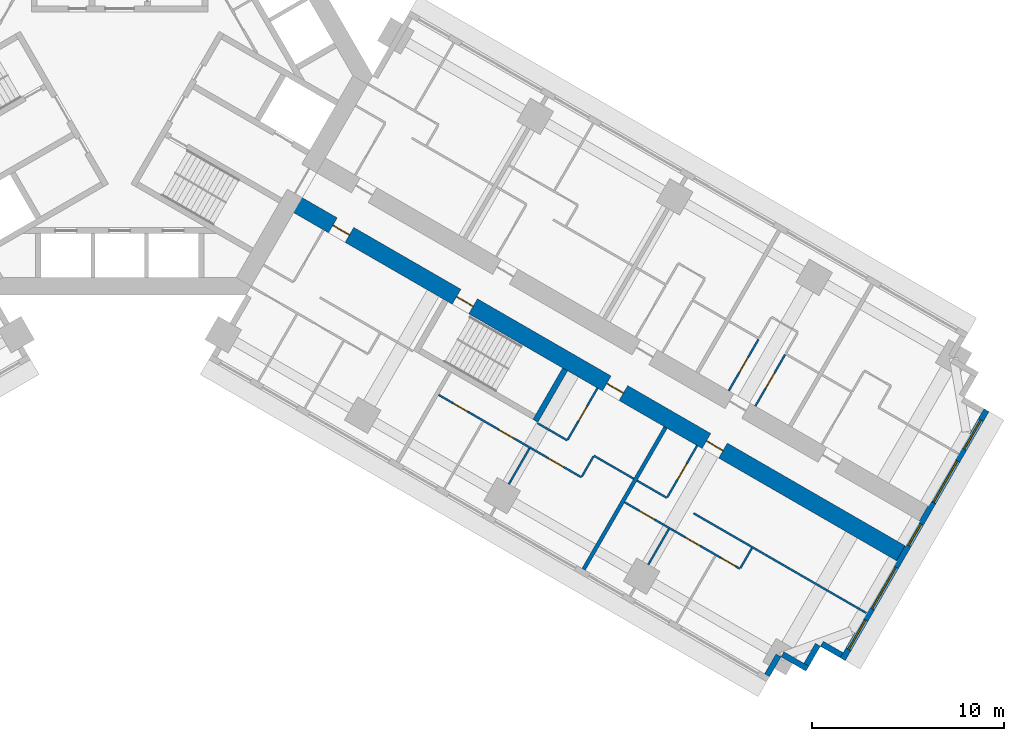
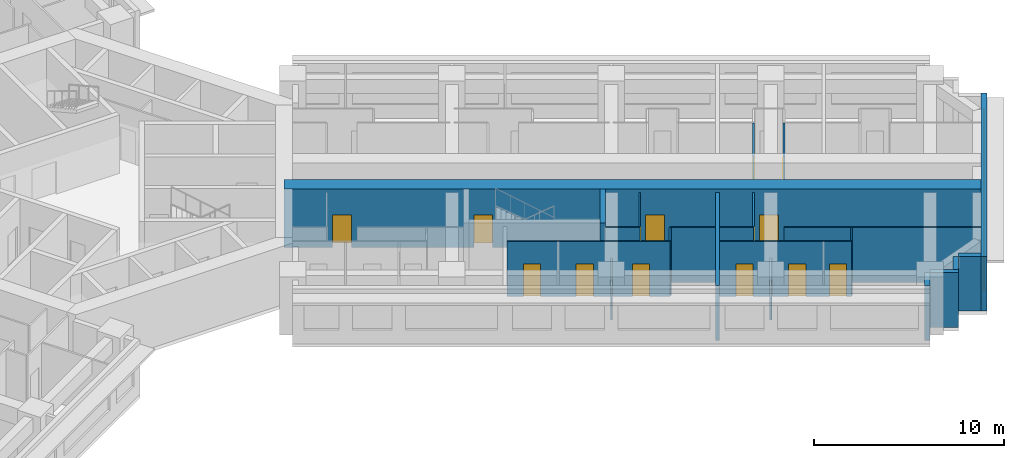
# One storey, part 11 of 16: 22 walls, 14 doors, 5 windows, 19 openings.
"""IFC4 building model written with IfcOpenShell, lengths in metres."""

from ifc_helpers import new_model, si_unit, direction, frame, frame_2d, origin, place, context, subcontext, project, spatial, rectangle, extrude, material, layer, layer_set, type_object, element, fill, save


model = new_model("IFC4")

# Units and contexts
model_context = context("Model", 3, precision=1e-05, world=origin(), true_north=direction((0.0, 1.0)))
body_context = subcontext(model_context, "Body", "Model", "MODEL_VIEW")
ifc_project = project(units=[si_unit("LENGTHUNIT", "METRE"), si_unit("AREAUNIT", "SQUARE_METRE"), si_unit("VOLUMEUNIT", "CUBIC_METRE"), si_unit("PLANEANGLEUNIT", "RADIAN"), si_unit("MASSUNIT", "GRAM", prefix="KILO")], contexts=[model_context])

# Site, building, storey
site_placement = place(None, origin())
site = spatial("IfcSite", under=ifc_project, at=site_placement, CompositionType="ELEMENT")
building_placement = place(site_placement, origin())
building = spatial("IfcBuilding", under=site, at=building_placement, Name="Impinga Residences", CompositionType="ELEMENT")
storey_placement = place(building_placement, frame((0.0, 0.0, 74.75)))
storey = spatial("IfcBuildingStorey", under=building, at=storey_placement, Name="L18", CompositionType="ELEMENT", Elevation=74.75)

# Wall, openings, doors
ifc_material_1 = material(Name="Concrete C70/85", Category="concrete")
ifc_layer_1 = layer(ifc_material_1, 0.89990234375)
ifc_layer_set_1 = layer_set([ifc_layer_1], Name="Concrete C70/85")
wall_type_1 = type_object("IfcWallType", Name="BW1 corridor buttress wall, L05 to L22 900", PredefinedType="SHEAR", material=ifc_layer_set_1)
wall_1_placement = place(storey_placement, frame((8.910400390625, -6.530029296875, 0.0), z_axis=(0.0, 0.0, 1.0), x_axis=(0.866025284237, -0.500000207062, 0.0)))
wall_1 = element("IfcWall", 1, at=wall_1_placement, inside=storey, type_object=wall_type_1, Name="Corridor wall BW1 ED L18", PredefinedType="SHEAR", context=body_context, shape_type="SweptSolid", body=[
    extrude(rectangle(XDim=36.75, YDim=0.89990234375, at=frame_2d((18.375, 0.0))), origin(), (0.0, 0.0, 1.0), 3.75),
])
opening_1_placement = place(wall_1_placement, frame((10.0, 0.0, 0.0)))
opening_1 = element("IfcOpeningElement", 2, at=opening_1_placement, cuts=wall_1, Name="Opening D5", PredefinedType="OPENING", context=body_context, shape_type="SweptSolid", body=[
    extrude(rectangle(XDim=1.0, YDim=2.10009765625, at=frame_2d((0.5, 1.050048828125))), frame((0.0, 0.4599609375, 0.0), z_axis=(0.0, -1.0, 0.0), x_axis=(1.0, 0.0, 0.0)), (0.0, 0.0, 1.0), 0.919921875),
])
opening_2_placement = place(wall_1_placement, frame((2.550048828125, 0.0, 0.0)))
opening_2 = element("IfcOpeningElement", 3, at=opening_2_placement, cuts=wall_1, Name="Opening D1", PredefinedType="OPENING", context=body_context, shape_type="SweptSolid", body=[
    extrude(rectangle(XDim=1.0, YDim=2.10009765625, at=frame_2d((0.5, 1.050048828125))), frame((0.0, 0.4599609375, 0.0), z_axis=(0.0, -1.0, 0.0), x_axis=(1.0, 0.0, 0.0)), (0.0, 0.0, 1.0), 0.919921875),
])
opening_3_placement = place(wall_1_placement, frame((19.050048828125, 0.0, 0.0)))
opening_3 = element("IfcOpeningElement", 4, at=opening_3_placement, cuts=wall_1, Name="Opening D1", PredefinedType="OPENING", context=body_context, shape_type="SweptSolid", body=[
    extrude(rectangle(XDim=1.0, YDim=2.10009765625, at=frame_2d((0.5, 1.050048828125))), frame((0.0, 0.4599609375, 0.0), z_axis=(0.0, -1.0, 0.0), x_axis=(1.0, 0.0, 0.0)), (0.0, 0.0, 1.0), 0.919921875),
])
opening_4_placement = place(wall_1_placement, frame((25.050048828125, 0.0, 0.0)))
opening_4 = element("IfcOpeningElement", 5, at=opening_4_placement, cuts=wall_1, Name="Opening D1", PredefinedType="OPENING", context=body_context, shape_type="SweptSolid", body=[
    extrude(rectangle(XDim=1.0, YDim=2.10009765625, at=frame_2d((0.5, 1.050048828125))), frame((0.0, 0.4599609375, 0.0), z_axis=(0.0, -1.0, 0.0), x_axis=(1.0, 0.0, 0.0)), (0.0, 0.0, 1.0), 0.919921875),
])
ifc_material_2 = material(Name="Timber door set", Category="wood")
door_type_1 = type_object("IfcDoorType", Name="D1 apartment entrance door 1000x2100", OperationType="SINGLE_SWING_LEFT", PredefinedType="DOOR", material=ifc_material_2)
door_1_placement = place(opening_2_placement, origin())
door_1 = element("IfcDoor", 6, at=door_1_placement, inside=storey, type_object=door_type_1, Name="Apartment L18-EF1 entrance", OperationType="SINGLE_SWING_LEFT", OverallHeight=2.10009765625, OverallWidth=1.0, PredefinedType="DOOR", context=body_context, shape_type="SweptSolid", body=[
    extrude(rectangle(XDim=1.0, YDim=2.10009765625, at=frame_2d((0.5, 1.050048828125))), frame((0.0, 0.02490234375, 0.0), z_axis=(0.0, -1.0, 0.0), x_axis=(1.0, 0.0, 0.0)), (0.0, 0.0, 1.0), 0.050048828125),
])
fill(opening_2, door_1)
door_2_placement = place(opening_3_placement, origin())
door_2 = element("IfcDoor", 7, at=door_2_placement, inside=storey, type_object=door_type_1, Name="Apartment L18-EF2 entrance", OperationType="SINGLE_SWING_RIGHT", OverallHeight=2.10009765625, OverallWidth=1.0, PredefinedType="DOOR", context=body_context, shape_type="SweptSolid", body=[
    extrude(rectangle(XDim=1.0, YDim=2.10009765625, at=frame_2d((0.5, 1.050048828125))), frame((0.0, 0.02490234375, 0.0), z_axis=(0.0, -1.0, 0.0), x_axis=(1.0, 0.0, 0.0)), (0.0, 0.0, 1.0), 0.050048828125),
])
fill(opening_3, door_2)
door_3_placement = place(opening_4_placement, origin())
door_3 = element("IfcDoor", 8, at=door_3_placement, inside=storey, type_object=door_type_1, Name="Apartment L18-EF3 entrance", OperationType="SINGLE_SWING_RIGHT", OverallHeight=2.10009765625, OverallWidth=1.0, PredefinedType="DOOR", context=body_context, shape_type="SweptSolid", body=[
    extrude(rectangle(XDim=1.0, YDim=2.10009765625, at=frame_2d((0.5, 1.050048828125))), frame((0.0, 0.02490234375, 0.0), z_axis=(0.0, -1.0, 0.0), x_axis=(1.0, 0.0, 0.0)), (0.0, 0.0, 1.0), 0.050048828125),
])
fill(opening_4, door_3)
door_type_2 = type_object("IfcDoorType", Name="D5 stair door 1000x2100", OperationType="SINGLE_SWING_LEFT", PredefinedType="DOOR", material=ifc_material_2)
door_4_placement = place(opening_1_placement, origin())
door_4 = element("IfcDoor", 9, at=door_4_placement, inside=storey, type_object=door_type_2, Name="Wing stair door E", OperationType="SINGLE_SWING_LEFT", OverallHeight=2.10009765625, OverallWidth=1.0, PredefinedType="DOOR", context=body_context, shape_type="SweptSolid", body=[
    extrude(rectangle(XDim=1.0, YDim=2.10009765625, at=frame_2d((0.5, 1.050048828125))), frame((0.0, 0.02490234375, 0.0), z_axis=(0.0, -1.0, 0.0), x_axis=(1.0, 0.0, 0.0)), (0.0, 0.0, 1.0), 0.050048828125),
])
fill(opening_1, door_4)

# Wall, openings, windows
ifc_material_3 = material(Name="Terracotta rainscreen on blockwork", Category="masonry")
ifc_layer_2 = layer(ifc_material_3, 0.300048828125)
ifc_layer_set_2 = layer_set([ifc_layer_2], Name="EW1 external wall, terracotta rainscreen on blockwork 300")
wall_type_2 = type_object("IfcWallType", Name="EW1 external wall, terracotta rainscreen on blockwork 300", PredefinedType="SOLIDWALL", material=ifc_layer_set_2)
wall_2_placement = place(storey_placement, frame((45.216552734375, -17.445556640625, 0.0), z_axis=(0.0, 0.0, 1.0), x_axis=(-0.499997186618, -0.866027028085, 0.0)))
wall_2 = element("IfcWall", 10, at=wall_2_placement, inside=storey, type_object=wall_type_2, Name="External wall EW1 L18", PredefinedType="SOLIDWALL", context=body_context, shape_type="SweptSolid", body=[
    extrude(rectangle(XDim=15.0, YDim=0.300048828125, at=frame_2d((7.5, 0.0))), origin(), (0.0, 0.0, 1.0), 3.530029296875),
])
opening_5_placement = place(wall_2_placement, frame((0.60009765625, 0.0, 0.89990234375)))
opening_5 = element("IfcOpeningElement", 11, at=opening_5_placement, cuts=wall_2, Name="Opening W1", PredefinedType="OPENING", context=body_context, shape_type="SweptSolid", body=[
    extrude(rectangle(XDim=1.75, YDim=2.050048828125, at=frame_2d((0.875, 1.02490234375))), frame((0.0, 0.159912109375, 0.0), z_axis=(0.0, -1.0, 0.0), x_axis=(1.0, 0.0, 0.0)), (0.0, 0.0, 1.0), 0.320068359375),
])
opening_6_placement = place(wall_2_placement, frame((3.050048828125, 0.0, 0.89990234375)))
opening_6 = element("IfcOpeningElement", 12, at=opening_6_placement, cuts=wall_2, Name="Opening W2", PredefinedType="OPENING", context=body_context, shape_type="SweptSolid", body=[
    extrude(rectangle(XDim=2.5, YDim=2.050048828125, at=frame_2d((1.25, 1.02490234375))), frame((0.0, 0.159912109375, 0.0), z_axis=(0.0, -1.0, 0.0), x_axis=(1.0, 0.0, 0.0)), (0.0, 0.0, 1.0), 0.320068359375),
])
opening_7_placement = place(wall_2_placement, frame((6.85009765625, 0.0, 0.89990234375)))
opening_7 = element("IfcOpeningElement", 13, at=opening_7_placement, cuts=wall_2, Name="Opening WE1", PredefinedType="OPENING", context=body_context, shape_type="SweptSolid", body=[
    extrude(rectangle(XDim=1.300048828125, YDim=2.050048828125, at=frame_2d((0.64990234375, 1.02490234375))), frame((0.0, 0.159912109375, 0.0), z_axis=(0.0, -1.0, 0.0), x_axis=(1.0, 0.0, 0.0)), (0.0, 0.0, 1.0), 0.320068359375),
])
opening_8_placement = place(wall_2_placement, frame((9.449951171875, 0.0, 0.89990234375)))
opening_8 = element("IfcOpeningElement", 14, at=opening_8_placement, cuts=wall_2, Name="Opening W2", PredefinedType="OPENING", context=body_context, shape_type="SweptSolid", body=[
    extrude(rectangle(XDim=2.5, YDim=2.050048828125, at=frame_2d((1.25, 1.02490234375))), frame((0.0, 0.159912109375, 0.0), z_axis=(0.0, -1.0, 0.0), x_axis=(1.0, 0.0, 0.0)), (0.0, 0.0, 1.0), 0.320068359375),
])
opening_9_placement = place(wall_2_placement, frame((12.64990234375, 0.0, 0.89990234375)))
opening_9 = element("IfcOpeningElement", 15, at=opening_9_placement, cuts=wall_2, Name="Opening W1", PredefinedType="OPENING", context=body_context, shape_type="SweptSolid", body=[
    extrude(rectangle(XDim=1.75, YDim=2.050048828125, at=frame_2d((0.875, 1.02490234375))), frame((0.0, 0.159912109375, 0.0), z_axis=(0.0, -1.0, 0.0), x_axis=(1.0, 0.0, 0.0)), (0.0, 0.0, 1.0), 0.320068359375),
])
ifc_material_4 = material(Name="Aluminium window, clear double glazing", Category="aluminium")
window_type_1 = type_object("IfcWindowType", Name="W1 ribbon window 1750x2050", PartitioningType="SINGLE_PANEL", PredefinedType="WINDOW", material=ifc_material_4)
window_1_placement = place(opening_5_placement, origin())
window_1 = element("IfcWindow", 16, at=window_1_placement, inside=storey, type_object=window_type_1, Name="Window L18", OverallHeight=2.050048828125, OverallWidth=1.75, PartitioningType="SINGLE_PANEL", PredefinedType="WINDOW", context=body_context, shape_type="SweptSolid", body=[
    extrude(rectangle(XDim=1.75, YDim=2.050048828125, at=frame_2d((0.875, 1.02490234375))), frame((0.0, 0.030029296875, 0.0), z_axis=(0.0, -1.0, 0.0), x_axis=(1.0, 0.0, 0.0)), (0.0, 0.0, 1.0), 0.06005859375),
])
fill(opening_5, window_1)
window_2_placement = place(opening_9_placement, origin())
window_2 = element("IfcWindow", 17, at=window_2_placement, inside=storey, type_object=window_type_1, Name="Window L18", OverallHeight=2.050048828125, OverallWidth=1.75, PartitioningType="SINGLE_PANEL", PredefinedType="WINDOW", context=body_context, shape_type="SweptSolid", body=[
    extrude(rectangle(XDim=1.75, YDim=2.050048828125, at=frame_2d((0.875, 1.02490234375))), frame((0.0, 0.030029296875, 0.0), z_axis=(0.0, -1.0, 0.0), x_axis=(1.0, 0.0, 0.0)), (0.0, 0.0, 1.0), 0.06005859375),
])
fill(opening_9, window_2)
window_type_2 = type_object("IfcWindowType", Name="W2 ribbon window 2500x2050", PartitioningType="SINGLE_PANEL", PredefinedType="WINDOW", material=ifc_material_4)
window_3_placement = place(opening_6_placement, origin())
window_3 = element("IfcWindow", 18, at=window_3_placement, inside=storey, type_object=window_type_2, Name="Window L18", OverallHeight=2.050048828125, OverallWidth=2.5, PartitioningType="SINGLE_PANEL", PredefinedType="WINDOW", context=body_context, shape_type="SweptSolid", body=[
    extrude(rectangle(XDim=2.5, YDim=2.050048828125, at=frame_2d((1.25, 1.02490234375))), frame((0.0, 0.030029296875, 0.0), z_axis=(0.0, -1.0, 0.0), x_axis=(1.0, 0.0, 0.0)), (0.0, 0.0, 1.0), 0.06005859375),
])
fill(opening_6, window_3)
window_4_placement = place(opening_8_placement, origin())
window_4 = element("IfcWindow", 19, at=window_4_placement, inside=storey, type_object=window_type_2, Name="Window L18", OverallHeight=2.050048828125, OverallWidth=2.5, PartitioningType="SINGLE_PANEL", PredefinedType="WINDOW", context=body_context, shape_type="SweptSolid", body=[
    extrude(rectangle(XDim=2.5, YDim=2.050048828125, at=frame_2d((1.25, 1.02490234375))), frame((0.0, 0.030029296875, 0.0), z_axis=(0.0, -1.0, 0.0), x_axis=(1.0, 0.0, 0.0)), (0.0, 0.0, 1.0), 0.06005859375),
])
fill(opening_8, window_4)
window_type_3 = type_object("IfcWindowType", Name="WE1 corridor window 1300x2050", PartitioningType="SINGLE_PANEL", PredefinedType="WINDOW", material=ifc_material_4)
window_5_placement = place(opening_7_placement, origin())
window_5 = element("IfcWindow", 20, at=window_5_placement, inside=storey, type_object=window_type_3, Name="Window L18", OverallHeight=2.050048828125, OverallWidth=1.300048828125, PartitioningType="SINGLE_PANEL", PredefinedType="WINDOW", context=body_context, shape_type="SweptSolid", body=[
    extrude(rectangle(XDim=1.300048828125, YDim=2.050048828125, at=frame_2d((0.64990234375, 1.02490234375))), frame((0.0, 0.030029296875, 0.0), z_axis=(0.0, -1.0, 0.0), x_axis=(1.0, 0.0, 0.0)), (0.0, 0.0, 1.0), 0.06005859375),
])
fill(opening_7, window_5)

# Walls
wall_3_placement = place(storey_placement, frame((37.66162109375, -30.23095703125, 0.0), z_axis=(0.0, 0.0, 1.0), x_axis=(-0.866059708757, 0.499940577336, 0.0)))
element("IfcWall", 21, at=wall_3_placement, inside=storey, type_object=wall_type_2, Name="External wall EW1 L18", PredefinedType="SOLIDWALL", context=body_context, shape_type="SweptSolid", body=[
    extrude(rectangle(XDim=1.195068359375, YDim=0.300048828125, at=frame_2d((0.59765625, 0.0))), origin(), (0.0, 0.0, 1.0), 3.530029296875),
])
wall_4_placement = place(storey_placement, frame((36.41748046875, -29.68603515625, 0.0), z_axis=(0.0, 0.0, 1.0), x_axis=(-0.499969057507, -0.866043267704, 0.0)))
element("IfcWall", 22, at=wall_4_placement, inside=storey, type_object=wall_type_2, Name="External wall EW1 L18", PredefinedType="SOLIDWALL", context=body_context, shape_type="SweptSolid", body=[
    extrude(rectangle(XDim=1.19970703125, YDim=0.300048828125, at=frame_2d((0.599853515625, 0.0))), origin(), (0.0, 0.0, 1.0), 3.530029296875),
])
wall_5_placement = place(storey_placement, frame((35.87255859375, -30.93017578125, 0.0), z_axis=(0.0, 0.0, 1.0), x_axis=(-0.866031096941, 0.499990139034, 0.0)))
element("IfcWall", 23, at=wall_5_placement, inside=storey, type_object=wall_type_2, Name="External wall EW1 L18", PredefinedType="SOLIDWALL", context=body_context, shape_type="SweptSolid", body=[
    extrude(rectangle(XDim=1.5, YDim=0.300048828125, at=frame_2d((0.75, 0.0))), origin(), (0.0, 0.0, 1.0), 3.530029296875),
])
wall_6_placement = place(storey_placement, frame((34.365966796875, -30.2392578125, 0.0), z_axis=(0.0, 0.0, 1.0), x_axis=(-0.499940577336, -0.866059708757, 0.0)))
element("IfcWall", 24, at=wall_6_placement, inside=storey, type_object=wall_type_2, Name="External wall EW1 L18", PredefinedType="SOLIDWALL", context=body_context, shape_type="SweptSolid", body=[
    extrude(rectangle(XDim=1.195068359375, YDim=0.300048828125, at=frame_2d((0.59765625, 0.0))), origin(), (0.0, 0.0, 1.0), 3.530029296875),
])

# Wall, opening, door
ifc_material_5 = material(Name="Gypsum board on steel studs", Category="steel")
ifc_layer_3 = layer(ifc_material_5, 0.10009765625)
ifc_layer_set_3 = layer_set([ifc_layer_3], Name="Gypsum board on steel studs")
wall_type_3 = type_object("IfcWallType", Name="IP1 partition 100", PredefinedType="PARTITIONING", material=ifc_layer_set_3)
wall_7_placement = place(storey_placement, frame((31.76953125, -16.436767578125, 0.0), z_axis=(0.0, 0.0, 1.0), x_axis=(0.499967891604, 0.866043940782, 0.0)))
wall_7 = element("IfcWall", 25, at=wall_7_placement, inside=storey, type_object=wall_type_3, Name="Partition L18-EA4:IB1", PredefinedType="PARTITIONING", context=body_context, shape_type="SweptSolid", body=[
    extrude(rectangle(XDim=3.099853515625, YDim=0.10009765625, at=frame_2d((1.5498046875, 0.0))), origin(), (0.0, 0.0, 1.0), 3.530029296875),
])
opening_10_placement = place(wall_7_placement, frame((1.10009765625, 0.0, 0.0)))
opening_10 = element("IfcOpeningElement", 26, at=opening_10_placement, cuts=wall_7, Name="Opening D2", PredefinedType="OPENING", context=body_context, shape_type="SweptSolid", body=[
    extrude(rectangle(XDim=0.89990234375, YDim=2.10009765625, at=frame_2d((0.449951171875, 1.050048828125))), frame((0.0, 0.06005859375, 0.0), z_axis=(0.0, -1.0, 0.0), x_axis=(1.0, 0.0, 0.0)), (0.0, 0.0, 1.0), 0.1201171875),
])
door_type_3 = type_object("IfcDoorType", Name="D2 internal door 900x2100", OperationType="SINGLE_SWING_LEFT", PredefinedType="DOOR", material=ifc_material_2)
door_5_placement = place(opening_10_placement, origin())
door_5 = element("IfcDoor", 27, at=door_5_placement, inside=storey, type_object=door_type_3, Name="Apartment L18-EA4 bathroom door", OperationType="SINGLE_SWING_LEFT", OverallHeight=2.10009765625, OverallWidth=0.89990234375, PredefinedType="DOOR", context=body_context, shape_type="SweptSolid", body=[
    extrude(rectangle(XDim=0.89990234375, YDim=2.10009765625, at=frame_2d((0.449951171875, 1.050048828125))), frame((0.0, 0.02490234375, 0.0), z_axis=(0.0, -1.0, 0.0), x_axis=(1.0, 0.0, 0.0)), (0.0, 0.0, 1.0), 0.050048828125),
])
fill(opening_10, door_5)

wall_8_placement = place(storey_placement, frame((33.155029296875, -17.23681640625, 0.0), z_axis=(0.0, 0.0, 1.0), x_axis=(0.500026960575, 0.86600983753, 0.0)))
wall_8 = element("IfcWall", 28, at=wall_8_placement, inside=storey, type_object=wall_type_3, Name="Partition L18-EA4:IB2", PredefinedType="PARTITIONING", context=body_context, shape_type="SweptSolid", body=[
    extrude(rectangle(XDim=3.099853515625, YDim=0.10009765625, at=frame_2d((1.5498046875, 0.0))), origin(), (0.0, 0.0, 1.0), 3.530029296875),
])
opening_11_placement = place(wall_8_placement, frame((1.10009765625, 0.0, 0.0)))
opening_11 = element("IfcOpeningElement", 29, at=opening_11_placement, cuts=wall_8, Name="Opening D2", PredefinedType="OPENING", context=body_context, shape_type="SweptSolid", body=[
    extrude(rectangle(XDim=0.89990234375, YDim=2.10009765625, at=frame_2d((0.449951171875, 1.050048828125))), frame((0.0, 0.06005859375, 0.0), z_axis=(0.0, -1.0, 0.0), x_axis=(1.0, 0.0, 0.0)), (0.0, 0.0, 1.0), 0.1201171875),
])
door_6_placement = place(opening_11_placement, origin())
door_6 = element("IfcDoor", 30, at=door_6_placement, inside=storey, type_object=door_type_3, Name="Apartment L18-EA4 WC door", OperationType="SINGLE_SWING_LEFT", OverallHeight=2.10009765625, OverallWidth=0.89990234375, PredefinedType="DOOR", context=body_context, shape_type="SweptSolid", body=[
    extrude(rectangle(XDim=0.89990234375, YDim=2.10009765625, at=frame_2d((0.449951171875, 1.050048828125))), frame((0.0, 0.02490234375, 0.0), z_axis=(0.0, -1.0, 0.0), x_axis=(1.0, 0.0, 0.0)), (0.0, 0.0, 1.0), 0.050048828125),
])
fill(opening_11, door_6)

# Walls
wall_9_placement = place(storey_placement, frame((21.789306640625, -18.122802734375, 0.0), z_axis=(0.0, 0.0, 1.0), x_axis=(0.866047807691, -0.499961193289, 0.0)))
element("IfcWall", 31, at=wall_9_placement, inside=storey, type_object=wall_type_3, Name="Partition L18-EF2:DIV0", PredefinedType="PARTITIONING", context=body_context, shape_type="SweptSolid", body=[
    extrude(rectangle(XDim=1.800048828125, YDim=0.10009765625, at=frame_2d((0.89990234375, 0.0))), origin(), (0.0, 0.0, 1.0), 3.530029296875),
])
wall_10_placement = place(storey_placement, frame((24.73388671875, -19.82275390625, 0.0), z_axis=(0.0, 0.0, 1.0), x_axis=(0.866024647952, -0.500001309137, 0.0)))
element("IfcWall", 32, at=wall_10_placement, inside=storey, type_object=wall_type_3, Name="Partition L18-EF2:DIV1", PredefinedType="PARTITIONING", context=body_context, shape_type="SweptSolid", body=[
    extrude(rectangle(XDim=2.39990234375, YDim=0.10009765625, at=frame_2d((1.199951171875, 0.0))), origin(), (0.0, 0.0, 1.0), 3.530029296875),
])

# Wall, openings, doors
wall_11_placement = place(storey_placement, frame((16.635986328125, -16.6484375, 0.0), z_axis=(0.0, 0.0, 1.0), x_axis=(0.866028165386, -0.499995216735, 0.0)))
wall_11 = element("IfcWall", 33, at=wall_11_placement, inside=storey, type_object=wall_type_3, Name="Partition L18-EF2:STRIP", PredefinedType="PARTITIONING", context=body_context, shape_type="SweptSolid", body=[
    extrude(rectangle(XDim=8.60009765625, YDim=0.10009765625, at=frame_2d((4.300048828125, 0.0))), origin(), (0.0, 0.0, 1.0), 3.530029296875),
])
opening_12_placement = place(wall_11_placement, frame((0.875, 0.0, 0.0)))
opening_12 = element("IfcOpeningElement", 34, at=opening_12_placement, cuts=wall_11, Name="Opening D2", PredefinedType="OPENING", context=body_context, shape_type="SweptSolid", body=[
    extrude(rectangle(XDim=0.89990234375, YDim=2.10009765625, at=frame_2d((0.449951171875, 1.050048828125))), frame((0.0, 0.06005859375, 0.0), z_axis=(0.0, -1.0, 0.0), x_axis=(1.0, 0.0, 0.0)), (0.0, 0.0, 1.0), 0.1201171875),
])
opening_13_placement = place(wall_11_placement, frame((3.64990234375, 0.0, 0.0)))
opening_13 = element("IfcOpeningElement", 35, at=opening_13_placement, cuts=wall_11, Name="Opening D2", PredefinedType="OPENING", context=body_context, shape_type="SweptSolid", body=[
    extrude(rectangle(XDim=0.89990234375, YDim=2.10009765625, at=frame_2d((0.449951171875, 1.050048828125))), frame((0.0, 0.06005859375, 0.0), z_axis=(0.0, -1.0, 0.0), x_axis=(1.0, 0.0, 0.0)), (0.0, 0.0, 1.0), 0.1201171875),
])
opening_14_placement = place(wall_11_placement, frame((6.625, 0.0, 0.0)))
opening_14 = element("IfcOpeningElement", 36, at=opening_14_placement, cuts=wall_11, Name="Opening D2", PredefinedType="OPENING", context=body_context, shape_type="SweptSolid", body=[
    extrude(rectangle(XDim=0.89990234375, YDim=2.10009765625, at=frame_2d((0.449951171875, 1.050048828125))), frame((0.0, 0.06005859375, 0.0), z_axis=(0.0, -1.0, 0.0), x_axis=(1.0, 0.0, 0.0)), (0.0, 0.0, 1.0), 0.1201171875),
])
door_7_placement = place(opening_12_placement, origin())
door_7 = element("IfcDoor", 37, at=door_7_placement, inside=storey, type_object=door_type_3, Name="Apartment L18-EF2 room door", OperationType="SINGLE_SWING_LEFT", OverallHeight=2.10009765625, OverallWidth=0.89990234375, PredefinedType="DOOR", context=body_context, shape_type="SweptSolid", body=[
    extrude(rectangle(XDim=0.89990234375, YDim=2.10009765625, at=frame_2d((0.449951171875, 1.050048828125))), frame((0.0, 0.02490234375, 0.0), z_axis=(0.0, -1.0, 0.0), x_axis=(1.0, 0.0, 0.0)), (0.0, 0.0, 1.0), 0.050048828125),
])
fill(opening_12, door_7)
door_8_placement = place(opening_13_placement, origin())
door_8 = element("IfcDoor", 38, at=door_8_placement, inside=storey, type_object=door_type_3, Name="Apartment L18-EF2 room door", OperationType="SINGLE_SWING_LEFT", OverallHeight=2.10009765625, OverallWidth=0.89990234375, PredefinedType="DOOR", context=body_context, shape_type="SweptSolid", body=[
    extrude(rectangle(XDim=0.89990234375, YDim=2.10009765625, at=frame_2d((0.449951171875, 1.050048828125))), frame((0.0, 0.02490234375, 0.0), z_axis=(0.0, -1.0, 0.0), x_axis=(1.0, 0.0, 0.0)), (0.0, 0.0, 1.0), 0.050048828125),
])
fill(opening_13, door_8)
door_9_placement = place(opening_14_placement, origin())
door_9 = element("IfcDoor", 39, at=door_9_placement, inside=storey, type_object=door_type_3, Name="Apartment L18-EF2 room door", OperationType="SINGLE_SWING_RIGHT", OverallHeight=2.10009765625, OverallWidth=0.89990234375, PredefinedType="DOOR", context=body_context, shape_type="SweptSolid", body=[
    extrude(rectangle(XDim=0.89990234375, YDim=2.10009765625, at=frame_2d((0.449951171875, 1.050048828125))), frame((0.0, 0.02490234375, 0.0), z_axis=(0.0, -1.0, 0.0), x_axis=(1.0, 0.0, 0.0)), (0.0, 0.0, 1.0), 0.050048828125),
])
fill(opening_14, door_9)

# Wall
wall_12_placement = place(storey_placement, frame((24.708984375, -19.865966796875, 0.0), z_axis=(0.0, 0.0, 1.0), x_axis=(-0.500033551112, -0.866006032174, 0.0)))
element("IfcWall", 40, at=wall_12_placement, inside=storey, type_object=wall_type_3, Name="Partition L18-EF2:SE1", PredefinedType="PARTITIONING", context=body_context, shape_type="SweptSolid", body=[
    extrude(rectangle(XDim=1.2001953125, YDim=0.10009765625, at=frame_2d((0.60009765625, 0.0))), origin(), (0.0, 0.0, 1.0), 3.530029296875),
])

# Wall, opening, door
wall_13_placement = place(storey_placement, frame((24.92333984375, -16.294677734375, 0.0), z_axis=(0.0, 0.0, 1.0), x_axis=(-0.49999285859, -0.86602952684, 0.0)))
wall_13 = element("IfcWall", 41, at=wall_13_placement, inside=storey, type_object=wall_type_3, Name="Partition L18-EF2:IB1", PredefinedType="PARTITIONING", context=body_context, shape_type="SweptSolid", body=[
    extrude(rectangle(XDim=3.10009765625, YDim=0.10009765625, at=frame_2d((1.550048828125, 0.0))), origin(), (0.0, 0.0, 1.0), 3.530029296875),
])
opening_15_placement = place(wall_13_placement, frame((1.10009765625, 0.0, 0.0)))
opening_15 = element("IfcOpeningElement", 42, at=opening_15_placement, cuts=wall_13, Name="Opening D2", PredefinedType="OPENING", context=body_context, shape_type="SweptSolid", body=[
    extrude(rectangle(XDim=0.89990234375, YDim=2.10009765625, at=frame_2d((0.449951171875, 1.050048828125))), frame((0.0, 0.06005859375, 0.0), z_axis=(0.0, -1.0, 0.0), x_axis=(1.0, 0.0, 0.0)), (0.0, 0.0, 1.0), 0.1201171875),
])
door_10_placement = place(opening_15_placement, origin())
door_10 = element("IfcDoor", 43, at=door_10_placement, inside=storey, type_object=door_type_3, Name="Apartment L18-EF2 bathroom door", OperationType="SINGLE_SWING_LEFT", OverallHeight=2.10009765625, OverallWidth=0.89990234375, PredefinedType="DOOR", context=body_context, shape_type="SweptSolid", body=[
    extrude(rectangle(XDim=0.89990234375, YDim=2.10009765625, at=frame_2d((0.449951171875, 1.050048828125))), frame((0.0, 0.02490234375, 0.0), z_axis=(0.0, -1.0, 0.0), x_axis=(1.0, 0.0, 0.0)), (0.0, 0.0, 1.0), 0.050048828125),
])
fill(opening_15, door_10)

# Walls
wall_14_placement = place(storey_placement, frame((21.374267578125, -19.44189453125, 0.0), z_axis=(0.0, 0.0, 1.0), x_axis=(-0.500010803666, -0.866019166195, 0.0)))
element("IfcWall", 44, at=wall_14_placement, inside=storey, type_object=wall_type_3, Name="Partition L18-EF2:OB2", PredefinedType="PARTITIONING", context=body_context, shape_type="SweptSolid", body=[
    extrude(rectangle(XDim=2.14990234375, YDim=0.10009765625, at=frame_2d((1.074951171875, 0.0))), origin(), (0.0, 0.0, 1.0), 2.47998046875),
])
wall_15_placement = place(storey_placement, frame((26.985595703125, -21.122802734375, 0.0), z_axis=(0.0, 0.0, 1.0), x_axis=(0.866047807691, -0.499961193289, 0.0)))
element("IfcWall", 45, at=wall_15_placement, inside=storey, type_object=wall_type_3, Name="Partition L18-EF3:DIV0", PredefinedType="PARTITIONING", context=body_context, shape_type="SweptSolid", body=[
    extrude(rectangle(XDim=1.800048828125, YDim=0.10009765625, at=frame_2d((0.89990234375, 0.0))), origin(), (0.0, 0.0, 1.0), 3.530029296875),
])
wall_16_placement = place(storey_placement, frame((29.93017578125, -22.82275390625, 0.0), z_axis=(0.0, 0.0, 1.0), x_axis=(0.866025696342, -0.499999493275, 0.0)))
element("IfcWall", 46, at=wall_16_placement, inside=storey, type_object=wall_type_3, Name="Partition L18-EF3:DIV1", PredefinedType="PARTITIONING", context=body_context, shape_type="SweptSolid", body=[
    extrude(rectangle(XDim=10.39990234375, YDim=0.10009765625, at=frame_2d((5.199951171875, 0.0))), origin(), (0.0, 0.0, 1.0), 3.530029296875),
])

# Wall, openings, doors
wall_17_placement = place(storey_placement, frame((26.335693359375, -22.24853515625, 0.0), z_axis=(0.0, 0.0, 1.0), x_axis=(0.866016523273, -0.500015381182, 0.0)))
wall_17 = element("IfcWall", 47, at=wall_17_placement, inside=storey, type_object=wall_type_3, Name="Partition L18-EF3:STRIP", PredefinedType="PARTITIONING", context=body_context, shape_type="SweptSolid", body=[
    extrude(rectangle(XDim=6.949951171875, YDim=0.10009765625, at=frame_2d((3.47509765625, 0.0))), origin(), (0.0, 0.0, 1.0), 3.530029296875),
])
opening_16_placement = place(wall_17_placement, frame((0.875, 0.0, 0.0)))
opening_16 = element("IfcOpeningElement", 48, at=opening_16_placement, cuts=wall_17, Name="Opening D2", PredefinedType="OPENING", context=body_context, shape_type="SweptSolid", body=[
    extrude(rectangle(XDim=0.89990234375, YDim=2.10009765625, at=frame_2d((0.449951171875, 1.050048828125))), frame((0.0, 0.06005859375, 0.0), z_axis=(0.0, -1.0, 0.0), x_axis=(1.0, 0.0, 0.0)), (0.0, 0.0, 1.0), 0.1201171875),
])
opening_17_placement = place(wall_17_placement, frame((3.64990234375, 0.0, 0.0)))
opening_17 = element("IfcOpeningElement", 49, at=opening_17_placement, cuts=wall_17, Name="Opening D2", PredefinedType="OPENING", context=body_context, shape_type="SweptSolid", body=[
    extrude(rectangle(XDim=0.89990234375, YDim=2.10009765625, at=frame_2d((0.449951171875, 1.050048828125))), frame((0.0, 0.06005859375, 0.0), z_axis=(0.0, -1.0, 0.0), x_axis=(1.0, 0.0, 0.0)), (0.0, 0.0, 1.0), 0.1201171875),
])
opening_18_placement = place(wall_17_placement, frame((5.800048828125, 0.0, 0.0)))
opening_18 = element("IfcOpeningElement", 50, at=opening_18_placement, cuts=wall_17, Name="Opening D2", PredefinedType="OPENING", context=body_context, shape_type="SweptSolid", body=[
    extrude(rectangle(XDim=0.89990234375, YDim=2.10009765625, at=frame_2d((0.449951171875, 1.050048828125))), frame((0.0, 0.06005859375, 0.0), z_axis=(0.0, -1.0, 0.0), x_axis=(1.0, 0.0, 0.0)), (0.0, 0.0, 1.0), 0.1201171875),
])
door_11_placement = place(opening_16_placement, origin())
door_11 = element("IfcDoor", 51, at=door_11_placement, inside=storey, type_object=door_type_3, Name="Apartment L18-EF3 room door", OperationType="SINGLE_SWING_LEFT", OverallHeight=2.10009765625, OverallWidth=0.89990234375, PredefinedType="DOOR", context=body_context, shape_type="SweptSolid", body=[
    extrude(rectangle(XDim=0.89990234375, YDim=2.10009765625, at=frame_2d((0.449951171875, 1.050048828125))), frame((0.0, 0.02490234375, 0.0), z_axis=(0.0, -1.0, 0.0), x_axis=(1.0, 0.0, 0.0)), (0.0, 0.0, 1.0), 0.050048828125),
])
fill(opening_16, door_11)
door_12_placement = place(opening_17_placement, origin())
door_12 = element("IfcDoor", 52, at=door_12_placement, inside=storey, type_object=door_type_3, Name="Apartment L18-EF3 room door", OperationType="SINGLE_SWING_RIGHT", OverallHeight=2.10009765625, OverallWidth=0.89990234375, PredefinedType="DOOR", context=body_context, shape_type="SweptSolid", body=[
    extrude(rectangle(XDim=0.89990234375, YDim=2.10009765625, at=frame_2d((0.449951171875, 1.050048828125))), frame((0.0, 0.02490234375, 0.0), z_axis=(0.0, -1.0, 0.0), x_axis=(1.0, 0.0, 0.0)), (0.0, 0.0, 1.0), 0.050048828125),
])
fill(opening_17, door_12)
door_13_placement = place(opening_18_placement, origin())
door_13 = element("IfcDoor", 53, at=door_13_placement, inside=storey, type_object=door_type_3, Name="Apartment L18-EF3 room door", OperationType="SINGLE_SWING_RIGHT", OverallHeight=2.10009765625, OverallWidth=0.89990234375, PredefinedType="DOOR", context=body_context, shape_type="SweptSolid", body=[
    extrude(rectangle(XDim=0.89990234375, YDim=2.10009765625, at=frame_2d((0.449951171875, 1.050048828125))), frame((0.0, 0.02490234375, 0.0), z_axis=(0.0, -1.0, 0.0), x_axis=(1.0, 0.0, 0.0)), (0.0, 0.0, 1.0), 0.050048828125),
])
fill(opening_18, door_13)

# Wall
wall_18_placement = place(storey_placement, frame((32.9794921875, -24.640869140625, 0.0), z_axis=(0.0, 0.0, 1.0), x_axis=(-0.500033551112, -0.866006032174, 0.0)))
element("IfcWall", 54, at=wall_18_placement, inside=storey, type_object=wall_type_3, Name="Partition L18-EF3:SE1", PredefinedType="PARTITIONING", context=body_context, shape_type="SweptSolid", body=[
    extrude(rectangle(XDim=1.2001953125, YDim=0.10009765625, at=frame_2d((0.60009765625, 0.0))), origin(), (0.0, 0.0, 1.0), 3.530029296875),
])

# Wall, opening, door
wall_19_placement = place(storey_placement, frame((30.119384765625, -19.294677734375, 0.0), z_axis=(0.0, 0.0, 1.0), x_axis=(-0.49999285859, -0.86602952684, 0.0)))
wall_19 = element("IfcWall", 55, at=wall_19_placement, inside=storey, type_object=wall_type_3, Name="Partition L18-EF3:IB1", PredefinedType="PARTITIONING", context=body_context, shape_type="SweptSolid", body=[
    extrude(rectangle(XDim=3.10009765625, YDim=0.10009765625, at=frame_2d((1.550048828125, 0.0))), origin(), (0.0, 0.0, 1.0), 3.530029296875),
])
opening_19_placement = place(wall_19_placement, frame((1.10009765625, 0.0, 0.0)))
opening_19 = element("IfcOpeningElement", 56, at=opening_19_placement, cuts=wall_19, Name="Opening D2", PredefinedType="OPENING", context=body_context, shape_type="SweptSolid", body=[
    extrude(rectangle(XDim=0.89990234375, YDim=2.10009765625, at=frame_2d((0.449951171875, 1.050048828125))), frame((0.0, 0.06005859375, 0.0), z_axis=(0.0, -1.0, 0.0), x_axis=(1.0, 0.0, 0.0)), (0.0, 0.0, 1.0), 0.1201171875),
])
door_14_placement = place(opening_19_placement, origin())
door_14 = element("IfcDoor", 57, at=door_14_placement, inside=storey, type_object=door_type_3, Name="Apartment L18-EF3 bathroom door", OperationType="SINGLE_SWING_LEFT", OverallHeight=2.10009765625, OverallWidth=0.89990234375, PredefinedType="DOOR", context=body_context, shape_type="SweptSolid", body=[
    extrude(rectangle(XDim=0.89990234375, YDim=2.10009765625, at=frame_2d((0.449951171875, 1.050048828125))), frame((0.0, 0.02490234375, 0.0), z_axis=(0.0, -1.0, 0.0), x_axis=(1.0, 0.0, 0.0)), (0.0, 0.0, 1.0), 0.050048828125),
])
fill(opening_19, door_14)

# Walls
wall_20_placement = place(storey_placement, frame((28.64892578125, -23.641845703125, 0.0), z_axis=(0.0, 0.0, 1.0), x_axis=(-0.500095966228, -0.865969990567, 0.0)))
element("IfcWall", 58, at=wall_20_placement, inside=storey, type_object=wall_type_3, Name="Partition L18-EF3:OB1", PredefinedType="PARTITIONING", context=body_context, shape_type="SweptSolid", body=[
    extrude(rectangle(XDim=2.14990234375, YDim=0.10009765625, at=frame_2d((1.074951171875, 0.0))), origin(), (0.0, 0.0, 1.0), 2.47998046875),
])
ifc_material_6 = material(Name="Concrete blockwork", Category="masonry")
ifc_layer_4 = layer(ifc_material_6, 0.199951171875)
ifc_layer_set_4 = layer_set([ifc_layer_4], Name="PW1 party wall between apartments 200")
wall_type_4 = type_object("IfcWallType", Name="PW1 party wall between apartments 200", PredefinedType="SOLIDWALL", material=ifc_layer_set_4)
wall_21_placement = place(storey_placement, frame((28.473876953125, -18.3447265625, 0.0), z_axis=(0.0, 0.0, 1.0), x_axis=(-0.499990227581, -0.86603104582, 0.0)))
element("IfcWall", 59, at=wall_21_placement, inside=storey, type_object=wall_type_4, Name="Party wall between apartments L18-EF2:PARTY", PredefinedType="SOLIDWALL", context=body_context, shape_type="SweptSolid", body=[
    extrude(rectangle(XDim=8.550048828125, YDim=0.199951171875, at=frame_2d((4.27490234375, 0.0))), origin(), (0.0, 0.0, 1.0), 3.530029296875),
])
ifc_material_7 = material(Name="Concrete C60/75", Category="concrete")
ifc_layer_5 = layer(ifc_material_7, 0.300048828125)
ifc_layer_set_5 = layer_set([ifc_layer_5], Name="Concrete C60/75")
wall_type_5 = type_object("IfcWallType", Name="SE1 wing stair enclosure wall 300", PredefinedType="SOLIDWALL", material=ifc_layer_set_5)
wall_22_placement = place(storey_placement, frame((23.234619140625, -15.31982421875, 0.0), z_axis=(0.0, 0.0, 1.0), x_axis=(-0.500026960575, -0.86600983753, 0.0)))
element("IfcWall", 60, at=wall_22_placement, inside=storey, type_object=wall_type_5, Name="Stair enclosure wall SE1 E END1 L18", PredefinedType="SOLIDWALL", context=body_context, shape_type="SweptSolid", body=[
    extrude(rectangle(XDim=3.099853515625, YDim=0.300048828125, at=frame_2d((1.5498046875, 0.0))), origin(), (0.0, 0.0, 1.0), 3.75),
])

save(model, "model.ifc")
